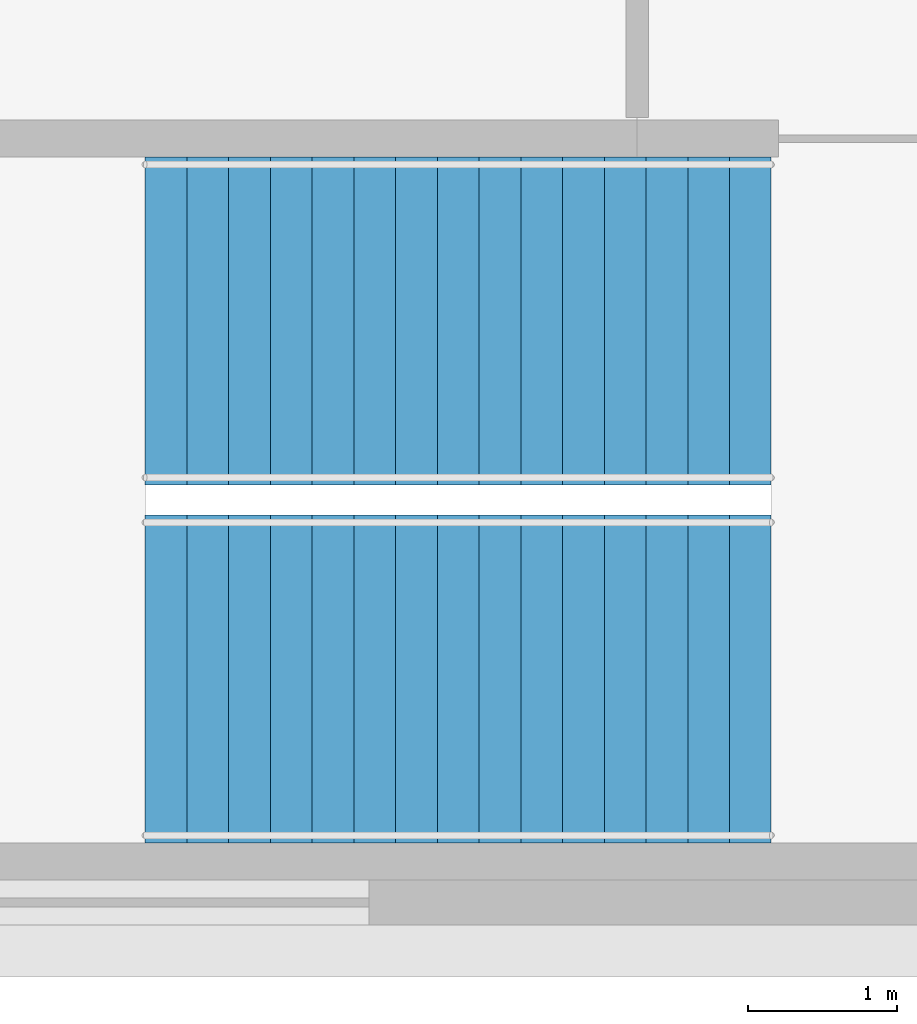
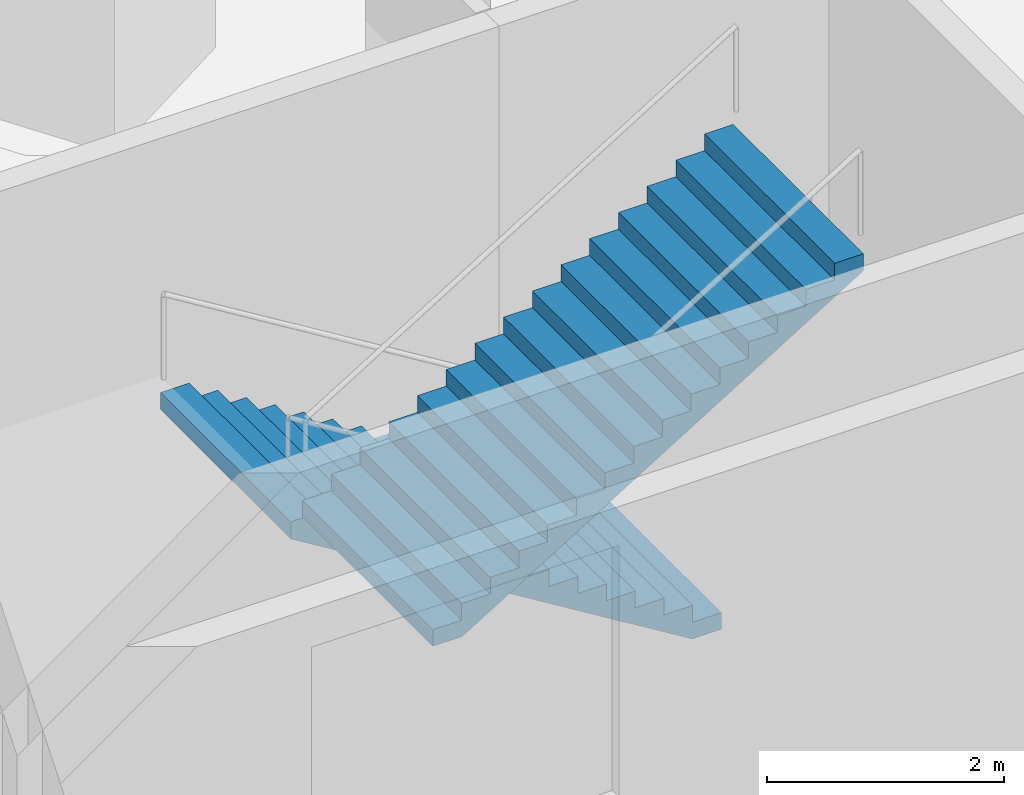
# One storey, part 11 of 16: 2 stair flights, 1 element without a shape of its own.
"""IFC4 building model written with IfcOpenShell, lengths in metres."""

from ifc_helpers import new_model, si_unit, direction, frame, origin, place, context, subcontext, project, spatial, triangles, source, transform, mapped, material, type_object, element, aggregate, save


model = new_model("IFC4")

# Units and contexts
model_context = context("Model", 3, precision=1e-05, world=origin(), true_north=direction((0.0, 1.0)))
body_context = subcontext(model_context, "Body", "Model", "MODEL_VIEW")
ifc_project = project(units=[si_unit("LENGTHUNIT", "METRE"), si_unit("AREAUNIT", "SQUARE_METRE"), si_unit("VOLUMEUNIT", "CUBIC_METRE"), si_unit("PLANEANGLEUNIT", "RADIAN"), si_unit("MASSUNIT", "GRAM", prefix="KILO")], contexts=[model_context])

# Site, building, storey
site_placement = place(None, origin())
site = spatial("IfcSite", under=ifc_project, at=site_placement, CompositionType="ELEMENT")
building_placement = place(site_placement, origin())
building = spatial("IfcBuilding", under=site, at=building_placement, Name="Vanh Sen Convention Tower", CompositionType="ELEMENT")
storey_placement = place(building_placement, frame((0.0, 0.0, 7.5)))
storey = spatial("IfcBuildingStorey", under=building, at=storey_placement, Name="L01", CompositionType="ELEMENT", Elevation=7.5)

# Stair, stair flights
ifc_material = material(Name="Concrete C40/50", Category="concrete")
stair_type = type_object("IfcStairType", Name="Podium exit stair 2200", PredefinedType="HALF_TURN_STAIR", material=ifc_material)
stair_placement = place(storey_placement, origin())
stair = element("IfcStair", 1, at=stair_placement, inside=storey, type_object=stair_type, Name="Exit stair PS6 L01", PredefinedType="HALF_TURN_STAIR")
stair_flight_type = type_object("IfcStairFlightType", Name="Podium exit stair flight 2200", PredefinedType="STRAIGHT", material=ifc_material)
shared_shape = source(origin(), body_context, "Body", "Tessellation", [
    triangles([(0.28662109375, 1.10009765625, 0.0), (0.0, 1.10009765625, 0.0), (0.0, 1.10009765625, 0.171875), (0.280029296875, 1.10009765625, 0.171875), (0.280029296875, 1.10009765625, 0.34375), (0.56005859375, 1.10009765625, 0.34375), (0.56005859375, 1.10009765625, 0.515625), (0.840087890625, 1.10009765625, 0.515625), (0.840087890625, 1.10009765625, 0.6875), (1.1201171875, 1.10009765625, 0.6875), (1.1201171875, 1.10009765625, 0.859375), (1.39990234375, 1.10009765625, 0.859375), (1.39990234375, 1.10009765625, 1.03125), (1.679931640625, 1.10009765625, 1.03125), (1.679931640625, 1.10009765625, 1.203125), (1.9599609375, 1.10009765625, 1.203125), (1.9599609375, 1.10009765625, 1.375), (2.239990234375, 1.10009765625, 1.375), (2.239990234375, 1.10009765625, 1.546875), (2.52001953125, 1.10009765625, 1.546875), (2.52001953125, 1.10009765625, 1.71875), (2.800048828125, 1.10009765625, 1.71875), (2.800048828125, 1.10009765625, 1.890625), (3.080078125, 1.10009765625, 1.890625), (3.080078125, 1.10009765625, 2.0625), (3.360107421875, 1.10009765625, 2.0625), (3.360107421875, 1.10009765625, 2.234375), (3.639892578125, 1.10009765625, 2.234375), (3.639892578125, 1.10009765625, 2.40625), (3.919921875, 1.10009765625, 2.40625), (3.919921875, 1.10009765625, 2.578125), (4.199951171875, 1.10009765625, 2.578125), (4.199951171875, 1.10009765625, 2.40234375), (0.28662109375, -1.10009765625, 0.0), (0.0, -1.10009765625, 0.0), (0.0, -1.10009765625, 0.171875), (0.280029296875, -1.10009765625, 0.171875), (0.280029296875, -1.10009765625, 0.34375), (0.56005859375, -1.10009765625, 0.34375), (0.56005859375, -1.10009765625, 0.515625), (0.840087890625, -1.10009765625, 0.515625), (0.840087890625, -1.10009765625, 0.6875), (1.1201171875, -1.10009765625, 0.6875), (1.1201171875, -1.10009765625, 0.859375), (1.39990234375, -1.10009765625, 0.859375), (1.39990234375, -1.10009765625, 1.03125), (1.679931640625, -1.10009765625, 1.03125), (1.679931640625, -1.10009765625, 1.203125), (1.9599609375, -1.10009765625, 1.203125), (1.9599609375, -1.10009765625, 1.375), (2.239990234375, -1.10009765625, 1.375), (2.239990234375, -1.10009765625, 1.546875), (2.52001953125, -1.10009765625, 1.546875), (2.52001953125, -1.10009765625, 1.71875), (2.800048828125, -1.10009765625, 1.71875), (2.800048828125, -1.10009765625, 1.890625), (3.080078125, -1.10009765625, 1.890625), (3.080078125, -1.10009765625, 2.0625), (3.360107421875, -1.10009765625, 2.0625), (3.360107421875, -1.10009765625, 2.234375), (3.639892578125, -1.10009765625, 2.234375), (3.639892578125, -1.10009765625, 2.40625), (3.919921875, -1.10009765625, 2.40625), (3.919921875, -1.10009765625, 2.578125), (4.199951171875, -1.10009765625, 2.578125), (4.199951171875, -1.10009765625, 2.40234375), (0.0, 0.0439453125, 0.0), (0.0, 0.04296875, 0.0), (0.0, 0.0419921875, 0.0), (0.0, 0.04052734375, 0.0), (0.0, 0.03955078125, 0.0), (0.0, 0.03857421875, 0.0), (0.0, 0.03759765625, 0.0), (0.0, 0.0361328125, 0.0), (0.0, 0.03515625, 0.0), (0.0, 0.0341796875, 0.0), (0.0, 0.033203125, 0.0), (0.0, 0.03173828125, 0.0), (0.0, 0.03076171875, 0.0), (0.0, 0.02978515625, 0.0), (0.0, 0.02880859375, 0.0), (0.0, 0.02734375, 0.0), (0.0, 0.0263671875, 0.0), (0.0, 0.025390625, 0.0), (0.0, 0.0244140625, 0.0), (0.0, 0.02294921875, 0.0), (0.0, 0.02197265625, 0.0), (0.0, 0.02099609375, 0.0), (0.0, 0.02001953125, 0.0), (0.0, 0.0185546875, 0.0), (0.0, 0.017578125, 0.0), (0.0, 0.0166015625, 0.0), (0.0, 0.015625, 0.0), (0.0, 0.01416015625, 0.0), (0.0, 0.01318359375, 0.0), (0.0, 0.01220703125, 0.0), (0.0, 0.01123046875, 0.0), (0.0, 0.009765625, 0.0), (0.0, 0.0087890625, 0.0), (0.0, 0.0078125, 0.0), (0.0, 0.0068359375, 0.0), (0.0, 0.00537109375, 0.0), (0.0, 0.00439453125, 0.0), (0.0, 0.00341796875, 0.0), (0.0, 0.00244140625, 0.0), (0.0, 0.0009765625, 0.0), (0.0, 0.0, 0.0), (0.0, -0.0009765625, 0.0), (0.0, -0.00244140625, 0.0), (0.0, -0.00341796875, 0.0), (0.0, -0.00439453125, 0.0), (0.0, -0.00537109375, 0.0), (0.0, -0.0068359375, 0.0), (0.0, -0.0078125, 0.0), (0.0, -0.0087890625, 0.0), (0.0, -0.009765625, 0.0), (0.0, -0.01123046875, 0.0), (0.0, -0.01220703125, 0.0), (0.0, -0.01318359375, 0.0), (0.0, -0.01416015625, 0.0), (0.0, -0.015625, 0.0), (0.0, -0.0166015625, 0.0), (0.0, -0.017578125, 0.0), (0.0, -0.0185546875, 0.0), (0.0, -0.02001953125, 0.0), (0.0, -0.02099609375, 0.0), (0.0, -0.02197265625, 0.0), (0.0, -0.02294921875, 0.0), (0.0, -0.0244140625, 0.0), (0.0, -0.025390625, 0.0), (0.0, -0.0263671875, 0.0), (0.0, -0.02734375, 0.0), (0.0, -0.02880859375, 0.0), (0.0, -0.02978515625, 0.0), (0.0, -0.03076171875, 0.0), (0.0, -0.03173828125, 0.0), (0.0, -0.033203125, 0.0), (0.0, -0.0341796875, 0.0), (0.0, -0.03515625, 0.0), (0.0, -0.0361328125, 0.0), (0.0, -0.03759765625, 0.0), (0.0, -0.03857421875, 0.0), (0.0, -0.03955078125, 0.0), (0.0, -0.04052734375, 0.0), (0.0, -0.0419921875, 0.0), (0.0, -0.04296875, 0.0), (0.0, -0.0439453125, 0.0), (0.0, 0.0439453125, 0.171875), (0.0, 0.04296875, 0.171875), (0.0, 0.0419921875, 0.171875), (0.0, 0.04052734375, 0.171875), (0.0, 0.03955078125, 0.171875), (0.0, 0.03857421875, 0.171875), (0.0, 0.03759765625, 0.171875), (0.0, 0.0361328125, 0.171875), (0.0, 0.03515625, 0.171875), (0.0, 0.0341796875, 0.171875), (0.0, 0.033203125, 0.171875), (0.0, 0.03173828125, 0.171875), (0.0, 0.03076171875, 0.171875), (0.0, 0.02978515625, 0.171875), (0.0, 0.02880859375, 0.171875), (0.0, 0.02734375, 0.171875), (0.0, 0.0263671875, 0.171875), (0.0, 0.025390625, 0.171875), (0.0, 0.0244140625, 0.171875), (0.0, 0.02294921875, 0.171875), (0.0, 0.02197265625, 0.171875), (0.0, 0.02099609375, 0.171875), (0.0, 0.02001953125, 0.171875), (0.0, 0.0185546875, 0.171875), (0.0, 0.017578125, 0.171875), (0.0, 0.0166015625, 0.171875), (0.0, 0.015625, 0.171875), (0.0, 0.01416015625, 0.171875), (0.0, 0.01318359375, 0.171875), (0.0, 0.01220703125, 0.171875), (0.0, 0.01123046875, 0.171875), (0.0, 0.009765625, 0.171875), (0.0, 0.0087890625, 0.171875), (0.0, 0.0078125, 0.171875), (0.0, 0.0068359375, 0.171875), (0.0, 0.00537109375, 0.171875), (0.0, 0.00439453125, 0.171875), (0.0, 0.00341796875, 0.171875), (0.0, 0.00244140625, 0.171875), (0.0, 0.0009765625, 0.171875), (0.0, 0.0, 0.171875), (0.0, -0.0009765625, 0.171875), (0.0, -0.00244140625, 0.171875), (0.0, -0.00341796875, 0.171875), (0.0, -0.00439453125, 0.171875), (0.0, -0.00537109375, 0.171875), (0.0, -0.0068359375, 0.171875), (0.0, -0.0078125, 0.171875), (0.0, -0.0087890625, 0.171875), (0.0, -0.009765625, 0.171875), (0.0, -0.01123046875, 0.171875), (0.0, -0.01220703125, 0.171875), (0.0, -0.01318359375, 0.171875), (0.0, -0.01416015625, 0.171875), (0.0, -0.015625, 0.171875), (0.0, -0.0166015625, 0.171875), (0.0, -0.017578125, 0.171875), (0.0, -0.0185546875, 0.171875), (0.0, -0.02001953125, 0.171875), (0.0, -0.02099609375, 0.171875), (0.0, -0.02197265625, 0.171875), (0.0, -0.02294921875, 0.171875), (0.0, -0.0244140625, 0.171875), (0.0, -0.025390625, 0.171875), (0.0, -0.0263671875, 0.171875), (0.0, -0.02734375, 0.171875), (0.0, -0.02880859375, 0.171875), (0.0, -0.02978515625, 0.171875), (0.0, -0.03076171875, 0.171875), (0.0, -0.03173828125, 0.171875), (0.0, -0.033203125, 0.171875), (0.0, -0.0341796875, 0.171875), (0.0, -0.03515625, 0.171875), (0.0, -0.0361328125, 0.171875), (0.0, -0.03759765625, 0.171875), (0.0, -0.03857421875, 0.171875), (0.0, -0.03955078125, 0.171875), (0.0, -0.04052734375, 0.171875), (0.0, -0.0419921875, 0.171875), (0.0, -0.04296875, 0.171875), (0.0, -0.0439453125, 0.171875), (0.280029296875, 0.0, 0.171875), (0.280029296875, 0.0, 0.34375), (0.56005859375, 0.0, 0.34375), (0.56005859375, 0.0, 0.515625), (0.840087890625, 0.0, 0.515625), (0.840087890625, 0.0, 0.6875), (1.1201171875, 0.0, 0.6875), (1.1201171875, 0.0, 0.859375), (1.39990234375, 0.0, 0.859375), (1.39990234375, 0.0, 1.03125), (1.679931640625, 0.0, 1.03125), (1.679931640625, 0.0, 1.203125), (1.9599609375, 0.0, 1.203125), (1.9599609375, 0.0, 1.375), (2.239990234375, 0.0, 1.375), (2.239990234375, 0.0, 1.546875), (2.52001953125, 0.0, 1.546875), (2.52001953125, 0.0, 1.71875), (2.800048828125, 0.0, 1.71875), (2.800048828125, 0.0, 1.890625), (3.080078125, 0.0, 1.890625), (3.080078125, 0.0, 2.0625), (3.360107421875, 0.0, 2.0625), (3.360107421875, 0.0, 2.234375), (3.639892578125, 0.0, 2.234375), (3.639892578125, 0.0, 2.40625), (3.919921875, 0.0, 2.40625), (3.919921875, 0.0, 2.578125), (4.199951171875, 0.0439453125, 2.578125), (4.199951171875, 0.04296875, 2.578125), (4.199951171875, 0.0419921875, 2.578125), (4.199951171875, 0.04052734375, 2.578125), (4.199951171875, 0.03955078125, 2.578125), (4.199951171875, 0.03857421875, 2.578125), (4.199951171875, 0.03759765625, 2.578125), (4.199951171875, 0.0361328125, 2.578125), (4.199951171875, 0.03515625, 2.578125), (4.199951171875, 0.0341796875, 2.578125), (4.199951171875, 0.033203125, 2.578125), (4.199951171875, 0.03173828125, 2.578125), (4.199951171875, 0.03076171875, 2.578125), (4.199951171875, 0.02978515625, 2.578125), (4.199951171875, 0.02880859375, 2.578125), (4.199951171875, 0.02734375, 2.578125), (4.199951171875, 0.0263671875, 2.578125), (4.199951171875, 0.025390625, 2.578125), (4.199951171875, 0.0244140625, 2.578125), (4.199951171875, 0.02294921875, 2.578125), (4.199951171875, 0.02197265625, 2.578125), (4.199951171875, 0.02099609375, 2.578125), (4.199951171875, 0.02001953125, 2.578125), (4.199951171875, 0.0185546875, 2.578125), (4.199951171875, 0.017578125, 2.578125), (4.199951171875, 0.0166015625, 2.578125), (4.199951171875, 0.015625, 2.578125), (4.199951171875, 0.01416015625, 2.578125), (4.199951171875, 0.01318359375, 2.578125), (4.199951171875, 0.01220703125, 2.578125), (4.199951171875, 0.01123046875, 2.578125), (4.199951171875, 0.009765625, 2.578125), (4.199951171875, 0.0087890625, 2.578125), (4.199951171875, 0.0078125, 2.578125), (4.199951171875, 0.0068359375, 2.578125), (4.199951171875, 0.00537109375, 2.578125), (4.199951171875, 0.00439453125, 2.578125), (4.199951171875, 0.00341796875, 2.578125), (4.199951171875, 0.00244140625, 2.578125), (4.199951171875, 0.0009765625, 2.578125), (4.199951171875, 0.0, 2.578125), (4.199951171875, -0.0009765625, 2.578125), (4.199951171875, -0.00244140625, 2.578125), (4.199951171875, -0.00341796875, 2.578125), (4.199951171875, -0.00439453125, 2.578125), (4.199951171875, -0.00537109375, 2.578125), (4.199951171875, -0.0068359375, 2.578125), (4.199951171875, -0.0078125, 2.578125), (4.199951171875, -0.0087890625, 2.578125), (4.199951171875, -0.009765625, 2.578125), (4.199951171875, -0.01123046875, 2.578125), (4.199951171875, -0.01220703125, 2.578125), (4.199951171875, -0.01318359375, 2.578125), (4.199951171875, -0.01416015625, 2.578125), (4.199951171875, -0.015625, 2.578125), (4.199951171875, -0.0166015625, 2.578125), (4.199951171875, -0.017578125, 2.578125), (4.199951171875, -0.0185546875, 2.578125), (4.199951171875, -0.02001953125, 2.578125), (4.199951171875, -0.02099609375, 2.578125), (4.199951171875, -0.02197265625, 2.578125), (4.199951171875, -0.02294921875, 2.578125), (4.199951171875, -0.0244140625, 2.578125), (4.199951171875, -0.025390625, 2.578125), (4.199951171875, -0.0263671875, 2.578125), (4.199951171875, -0.02734375, 2.578125), (4.199951171875, -0.02880859375, 2.578125), (4.199951171875, -0.02978515625, 2.578125), (4.199951171875, -0.03076171875, 2.578125), (4.199951171875, -0.03173828125, 2.578125), (4.199951171875, -0.033203125, 2.578125), (4.199951171875, -0.0341796875, 2.578125), (4.199951171875, -0.03515625, 2.578125), (4.199951171875, -0.0361328125, 2.578125), (4.199951171875, -0.03759765625, 2.578125), (4.199951171875, -0.03857421875, 2.578125), (4.199951171875, -0.03955078125, 2.578125), (4.199951171875, -0.04052734375, 2.578125), (4.199951171875, -0.0419921875, 2.578125), (4.199951171875, -0.04296875, 2.578125), (4.199951171875, -0.0439453125, 2.578125), (4.199951171875, 0.0439453125, 2.40234375), (4.199951171875, 0.04296875, 2.40234375), (4.199951171875, 0.0419921875, 2.40234375), (4.199951171875, 0.04052734375, 2.40234375), (4.199951171875, 0.03955078125, 2.40234375), (4.199951171875, 0.03857421875, 2.40234375), (4.199951171875, 0.03759765625, 2.40234375), (4.199951171875, 0.0361328125, 2.40234375), (4.199951171875, 0.03515625, 2.40234375), (4.199951171875, 0.0341796875, 2.40234375), (4.199951171875, 0.033203125, 2.40234375), (4.199951171875, 0.03173828125, 2.40234375), (4.199951171875, 0.03076171875, 2.40234375), (4.199951171875, 0.02978515625, 2.40234375), (4.199951171875, 0.02880859375, 2.40234375), (4.199951171875, 0.02734375, 2.40234375), (4.199951171875, 0.0263671875, 2.40234375), (4.199951171875, 0.025390625, 2.40234375), (4.199951171875, 0.0244140625, 2.40234375), (4.199951171875, 0.02294921875, 2.40234375), (4.199951171875, 0.02197265625, 2.40234375), (4.199951171875, 0.02099609375, 2.40234375), (4.199951171875, 0.02001953125, 2.40234375), (4.199951171875, 0.0185546875, 2.40234375), (4.199951171875, 0.017578125, 2.40234375), (4.199951171875, 0.0166015625, 2.40234375), (4.199951171875, 0.015625, 2.40234375), (4.199951171875, 0.01416015625, 2.40234375), (4.199951171875, 0.01318359375, 2.40234375), (4.199951171875, 0.01220703125, 2.40234375), (4.199951171875, 0.01123046875, 2.40234375), (4.199951171875, 0.009765625, 2.40234375), (4.199951171875, 0.0087890625, 2.40234375), (4.199951171875, 0.0078125, 2.40234375), (4.199951171875, 0.0068359375, 2.40234375), (4.199951171875, 0.00537109375, 2.40234375), (4.199951171875, 0.00439453125, 2.40234375), (4.199951171875, 0.00341796875, 2.40234375), (4.199951171875, 0.00244140625, 2.40234375), (4.199951171875, 0.0009765625, 2.40234375), (4.199951171875, 0.0, 2.40234375), (4.199951171875, -0.0009765625, 2.40234375), (4.199951171875, -0.00244140625, 2.40234375), (4.199951171875, -0.00341796875, 2.40234375), (4.199951171875, -0.00439453125, 2.40234375), (4.199951171875, -0.00537109375, 2.40234375), (4.199951171875, -0.0068359375, 2.40234375), (4.199951171875, -0.0078125, 2.40234375), (4.199951171875, -0.0087890625, 2.40234375), (4.199951171875, -0.009765625, 2.40234375), (4.199951171875, -0.01123046875, 2.40234375), (4.199951171875, -0.01220703125, 2.40234375), (4.199951171875, -0.01318359375, 2.40234375), (4.199951171875, -0.01416015625, 2.40234375), (4.199951171875, -0.015625, 2.40234375), (4.199951171875, -0.0166015625, 2.40234375), (4.199951171875, -0.017578125, 2.40234375), (4.199951171875, -0.0185546875, 2.40234375), (4.199951171875, -0.02001953125, 2.40234375), (4.199951171875, -0.02099609375, 2.40234375), (4.199951171875, -0.02197265625, 2.40234375), (4.199951171875, -0.02294921875, 2.40234375), (4.199951171875, -0.0244140625, 2.40234375), (4.199951171875, -0.025390625, 2.40234375), (4.199951171875, -0.0263671875, 2.40234375), (4.199951171875, -0.02734375, 2.40234375), (4.199951171875, -0.02880859375, 2.40234375), (4.199951171875, -0.02978515625, 2.40234375), (4.199951171875, -0.03076171875, 2.40234375), (4.199951171875, -0.03173828125, 2.40234375), (4.199951171875, -0.033203125, 2.40234375), (4.199951171875, -0.0341796875, 2.40234375), (4.199951171875, -0.03515625, 2.40234375), (4.199951171875, -0.0361328125, 2.40234375), (4.199951171875, -0.03759765625, 2.40234375), (4.199951171875, -0.03857421875, 2.40234375), (4.199951171875, -0.03955078125, 2.40234375), (4.199951171875, -0.04052734375, 2.40234375), (4.199951171875, -0.0419921875, 2.40234375), (4.199951171875, -0.04296875, 2.40234375), (4.199951171875, -0.0439453125, 2.40234375), (0.28662109375, 0.0, 0.0)], [[1, 2, 3], [1, 3, 4], [1, 4, 5], [1, 5, 6], [6, 7, 8], [1, 6, 8], [8, 9, 10], [1, 8, 10], [10, 11, 12], [1, 10, 12], [12, 13, 14], [1, 12, 14], [14, 15, 16], [1, 14, 16], [16, 17, 18], [1, 16, 18], [18, 19, 20], [1, 18, 20], [20, 21, 22], [1, 20, 22], [22, 23, 24], [1, 22, 24], [24, 25, 26], [1, 24, 26], [26, 27, 28], [1, 26, 28], [28, 29, 30], [1, 28, 30], [30, 31, 32], [1, 30, 32], [32, 33, 1], [34, 36, 35], [34, 37, 36], [34, 38, 37], [34, 39, 38], [39, 41, 40], [34, 41, 39], [41, 43, 42], [34, 43, 41], [43, 45, 44], [34, 45, 43], [45, 47, 46], [34, 47, 45], [47, 49, 48], [34, 49, 47], [49, 51, 50], [34, 51, 49], [51, 53, 52], [34, 53, 51], [53, 55, 54], [34, 55, 53], [55, 57, 56], [34, 57, 55], [57, 59, 58], [34, 59, 57], [59, 61, 60], [34, 61, 59], [61, 63, 62], [34, 63, 61], [63, 65, 64], [34, 65, 63], [65, 34, 66], [2, 148, 3], [2, 67, 148], [67, 149, 148], [67, 68, 149], [68, 150, 149], [68, 69, 150], [69, 151, 150], [69, 70, 151], [70, 152, 151], [70, 71, 152], [71, 153, 152], [71, 72, 153], [72, 154, 153], [72, 73, 154], [73, 155, 154], [73, 74, 155], [74, 156, 155], [74, 75, 156], [75, 157, 156], [75, 76, 157], [76, 158, 157], [76, 77, 158], [77, 159, 158], [77, 78, 159], [78, 160, 159], [78, 79, 160], [79, 161, 160], [79, 80, 161], [80, 162, 161], [80, 81, 162], [81, 163, 162], [81, 82, 163], [82, 164, 163], [82, 83, 164], [83, 165, 164], [83, 84, 165], [84, 166, 165], [84, 85, 166], [85, 167, 166], [85, 86, 167], [86, 168, 167], [86, 87, 168], [87, 169, 168], [87, 88, 169], [88, 170, 169], [88, 89, 170], [89, 171, 170], [89, 90, 171], [90, 172, 171], [90, 91, 172], [91, 173, 172], [91, 92, 173], [92, 174, 173], [92, 93, 174], [93, 175, 174], [93, 94, 175], [94, 176, 175], [94, 95, 176], [95, 177, 176], [95, 96, 177], [96, 178, 177], [96, 97, 178], [97, 179, 178], [97, 98, 179], [98, 180, 179], [98, 99, 180], [99, 181, 180], [99, 100, 181], [100, 182, 181], [100, 101, 182], [101, 183, 182], [101, 102, 183], [102, 184, 183], [102, 103, 184], [103, 185, 184], [103, 104, 185], [104, 186, 185], [104, 105, 186], [105, 187, 186], [105, 106, 187], [106, 188, 187], [106, 107, 188], [107, 108, 188], [188, 108, 189], [108, 109, 189], [189, 109, 190], [109, 110, 190], [190, 110, 191], [110, 111, 191], [191, 111, 192], [111, 112, 192], [192, 112, 193], [112, 113, 193], [193, 113, 194], [113, 114, 194], [194, 114, 195], [114, 115, 195], [195, 115, 196], [115, 116, 196], [196, 116, 197], [116, 117, 197], [197, 117, 198], [117, 118, 198], [198, 118, 199], [118, 119, 199], [199, 119, 200], [119, 120, 200], [200, 120, 201], [120, 121, 201], [201, 121, 202], [121, 122, 202], [202, 122, 203], [122, 123, 203], [203, 123, 204], [123, 124, 204], [204, 124, 205], [124, 125, 205], [205, 125, 206], [125, 126, 206], [206, 126, 207], [126, 127, 207], [207, 127, 208], [127, 128, 208], [208, 128, 209], [128, 129, 209], [209, 129, 210], [129, 130, 210], [210, 130, 211], [130, 131, 211], [211, 131, 212], [131, 132, 212], [212, 132, 213], [132, 133, 213], [213, 133, 214], [133, 134, 214], [214, 134, 215], [134, 135, 215], [215, 135, 216], [135, 136, 216], [216, 136, 217], [136, 137, 217], [217, 137, 218], [137, 138, 218], [218, 138, 219], [138, 139, 219], [219, 139, 220], [139, 140, 220], [220, 140, 221], [140, 141, 221], [221, 141, 222], [141, 142, 222], [222, 142, 223], [142, 143, 223], [223, 143, 224], [143, 144, 224], [224, 144, 225], [144, 145, 225], [225, 145, 226], [145, 146, 226], [226, 146, 227], [146, 147, 227], [227, 147, 228], [147, 35, 228], [228, 35, 36], [4, 3, 148], [4, 148, 149], [4, 149, 150], [4, 150, 151], [4, 151, 152], [4, 152, 153], [4, 153, 154], [4, 154, 155], [4, 155, 156], [4, 156, 157], [4, 157, 158], [4, 158, 159], [4, 159, 160], [4, 160, 161], [4, 161, 162], [4, 162, 163], [4, 163, 164], [4, 164, 165], [4, 165, 166], [4, 166, 167], [4, 167, 168], [4, 168, 169], [4, 169, 170], [4, 170, 171], [4, 171, 172], [4, 172, 173], [4, 173, 174], [4, 174, 175], [4, 175, 176], [4, 176, 177], [4, 177, 178], [4, 178, 179], [4, 179, 180], [4, 180, 181], [4, 181, 182], [4, 182, 183], [4, 183, 184], [4, 184, 185], [4, 185, 186], [4, 186, 187], [4, 187, 188], [37, 188, 189], [37, 189, 190], [37, 190, 191], [37, 191, 192], [37, 192, 193], [37, 193, 194], [37, 194, 195], [37, 195, 196], [37, 196, 197], [37, 197, 198], [37, 198, 199], [37, 199, 200], [37, 200, 201], [37, 201, 202], [37, 202, 203], [37, 203, 204], [37, 204, 205], [37, 205, 206], [37, 206, 207], [37, 207, 208], [37, 208, 209], [37, 209, 210], [37, 210, 211], [37, 211, 212], [37, 212, 213], [37, 213, 214], [37, 214, 215], [37, 215, 216], [37, 216, 217], [37, 217, 218], [37, 218, 219], [37, 219, 220], [37, 220, 221], [37, 221, 222], [37, 222, 223], [37, 223, 224], [37, 224, 225], [37, 225, 226], [37, 226, 227], [37, 227, 228], [37, 228, 36], [4, 188, 229], [37, 229, 188], [4, 230, 5], [4, 229, 230], [229, 37, 230], [230, 37, 38], [5, 231, 6], [5, 230, 231], [230, 38, 231], [231, 38, 39], [6, 232, 7], [6, 231, 232], [231, 39, 232], [232, 39, 40], [7, 233, 8], [7, 232, 233], [232, 40, 233], [233, 40, 41], [8, 234, 9], [8, 233, 234], [233, 41, 234], [234, 41, 42], [9, 235, 10], [9, 234, 235], [234, 42, 235], [235, 42, 43], [10, 236, 11], [10, 235, 236], [235, 43, 236], [236, 43, 44], [11, 237, 12], [11, 236, 237], [236, 44, 237], [237, 44, 45], [12, 238, 13], [12, 237, 238], [237, 45, 238], [238, 45, 46], [13, 239, 14], [13, 238, 239], [238, 46, 239], [239, 46, 47], [14, 240, 15], [14, 239, 240], [239, 47, 240], [240, 47, 48], [15, 241, 16], [15, 240, 241], [240, 48, 241], [241, 48, 49], [16, 242, 17], [16, 241, 242], [241, 49, 242], [242, 49, 50], [17, 243, 18], [17, 242, 243], [242, 50, 243], [243, 50, 51], [18, 244, 19], [18, 243, 244], [243, 51, 244], [244, 51, 52], [19, 245, 20], [19, 244, 245], [244, 52, 245], [245, 52, 53], [20, 246, 21], [20, 245, 246], [245, 53, 246], [246, 53, 54], [21, 247, 22], [21, 246, 247], [246, 54, 247], [247, 54, 55], [22, 248, 23], [22, 247, 248], [247, 55, 248], [248, 55, 56], [23, 249, 24], [23, 248, 249], [248, 56, 249], [249, 56, 57], [24, 250, 25], [24, 249, 250], [249, 57, 250], [250, 57, 58], [25, 251, 26], [25, 250, 251], [250, 58, 251], [251, 58, 59], [26, 252, 27], [26, 251, 252], [251, 59, 252], [252, 59, 60], [27, 253, 28], [27, 252, 253], [252, 60, 253], [253, 60, 61], [28, 254, 29], [28, 253, 254], [253, 61, 254], [254, 61, 62], [29, 255, 30], [29, 254, 255], [254, 62, 255], [255, 62, 63], [30, 256, 31], [30, 255, 256], [255, 63, 256], [256, 63, 64], [31, 257, 32], [31, 258, 257], [31, 259, 258], [31, 260, 259], [31, 261, 260], [31, 262, 261], [31, 263, 262], [31, 264, 263], [31, 265, 264], [31, 266, 265], [31, 267, 266], [31, 268, 267], [31, 269, 268], [31, 270, 269], [31, 271, 270], [31, 272, 271], [31, 273, 272], [31, 274, 273], [31, 275, 274], [31, 276, 275], [31, 277, 276], [31, 278, 277], [31, 279, 278], [31, 280, 279], [31, 281, 280], [31, 282, 281], [31, 283, 282], [31, 284, 283], [31, 285, 284], [31, 286, 285], [31, 287, 286], [31, 288, 287], [31, 289, 288], [31, 290, 289], [31, 291, 290], [31, 292, 291], [31, 293, 292], [31, 294, 293], [31, 295, 294], [31, 296, 295], [31, 297, 296], [64, 298, 297], [64, 299, 298], [64, 300, 299], [64, 301, 300], [64, 302, 301], [64, 303, 302], [64, 304, 303], [64, 305, 304], [64, 306, 305], [64, 307, 306], [64, 308, 307], [64, 309, 308], [64, 310, 309], [64, 311, 310], [64, 312, 311], [64, 313, 312], [64, 314, 313], [64, 315, 314], [64, 316, 315], [64, 317, 316], [64, 318, 317], [64, 319, 318], [64, 320, 319], [64, 321, 320], [64, 322, 321], [64, 323, 322], [64, 324, 323], [64, 325, 324], [64, 326, 325], [64, 327, 326], [64, 328, 327], [64, 329, 328], [64, 330, 329], [64, 331, 330], [64, 332, 331], [64, 333, 332], [64, 334, 333], [64, 335, 334], [64, 336, 335], [64, 337, 336], [64, 65, 337], [31, 256, 297], [64, 297, 256], [32, 338, 33], [32, 257, 338], [257, 339, 338], [257, 258, 339], [258, 340, 339], [258, 259, 340], [259, 341, 340], [259, 260, 341], [260, 342, 341], [260, 261, 342], [261, 343, 342], [261, 262, 343], [262, 344, 343], [262, 263, 344], [263, 345, 344], [263, 264, 345], [264, 346, 345], [264, 265, 346], [265, 347, 346], [265, 266, 347], [266, 348, 347], [266, 267, 348], [267, 349, 348], [267, 268, 349], [268, 350, 349], [268, 269, 350], [269, 351, 350], [269, 270, 351], [270, 352, 351], [270, 271, 352], [271, 353, 352], [271, 272, 353], [272, 354, 353], [272, 273, 354], [273, 355, 354], [273, 274, 355], [274, 356, 355], [274, 275, 356], [275, 357, 356], [275, 276, 357], [276, 358, 357], [276, 277, 358], [277, 359, 358], [277, 278, 359], [278, 360, 359], [278, 279, 360], [279, 361, 360], [279, 280, 361], [280, 362, 361], [280, 281, 362], [281, 363, 362], [281, 282, 363], [282, 364, 363], [282, 283, 364], [283, 365, 364], [283, 284, 365], [284, 366, 365], [284, 285, 366], [285, 367, 366], [285, 286, 367], [286, 368, 367], [286, 287, 368], [287, 369, 368], [287, 288, 369], [288, 370, 369], [288, 289, 370], [289, 371, 370], [289, 290, 371], [290, 372, 371], [290, 291, 372], [291, 373, 372], [291, 292, 373], [292, 374, 373], [292, 293, 374], [293, 375, 374], [293, 294, 375], [294, 376, 375], [294, 295, 376], [295, 377, 376], [295, 296, 377], [296, 378, 377], [296, 297, 378], [297, 298, 378], [378, 298, 379], [298, 299, 379], [379, 299, 380], [299, 300, 380], [380, 300, 381], [300, 301, 381], [381, 301, 382], [301, 302, 382], [382, 302, 383], [302, 303, 383], [383, 303, 384], [303, 304, 384], [384, 304, 385], [304, 305, 385], [385, 305, 386], [305, 306, 386], [386, 306, 387], [306, 307, 387], [387, 307, 388], [307, 308, 388], [388, 308, 389], [308, 309, 389], [389, 309, 390], [309, 310, 390], [390, 310, 391], [310, 311, 391], [391, 311, 392], [311, 312, 392], [392, 312, 393], [312, 313, 393], [393, 313, 394], [313, 314, 394], [394, 314, 395], [314, 315, 395], [395, 315, 396], [315, 316, 396], [396, 316, 397], [316, 317, 397], [397, 317, 398], [317, 318, 398], [398, 318, 399], [318, 319, 399], [399, 319, 400], [319, 320, 400], [400, 320, 401], [320, 321, 401], [401, 321, 402], [321, 322, 402], [402, 322, 403], [322, 323, 403], [403, 323, 404], [323, 324, 404], [404, 324, 405], [324, 325, 405], [405, 325, 406], [325, 326, 406], [406, 326, 407], [326, 327, 407], [407, 327, 408], [327, 328, 408], [408, 328, 409], [328, 329, 409], [409, 329, 410], [329, 330, 410], [410, 330, 411], [330, 331, 411], [411, 331, 412], [331, 332, 412], [412, 332, 413], [332, 333, 413], [413, 333, 414], [333, 334, 414], [414, 334, 415], [334, 335, 415], [415, 335, 416], [335, 336, 416], [416, 336, 417], [336, 337, 417], [417, 337, 418], [337, 65, 418], [418, 65, 66], [1, 33, 338], [1, 338, 339], [1, 339, 340], [1, 340, 341], [1, 341, 342], [1, 342, 343], [1, 343, 344], [1, 344, 345], [1, 345, 346], [1, 346, 347], [1, 347, 348], [1, 348, 349], [1, 349, 350], [1, 350, 351], [1, 351, 352], [1, 352, 353], [1, 353, 354], [1, 354, 355], [1, 355, 356], [1, 356, 357], [1, 357, 358], [1, 358, 359], [1, 359, 360], [1, 360, 361], [1, 361, 362], [1, 362, 363], [1, 363, 364], [1, 364, 365], [1, 365, 366], [1, 366, 367], [1, 367, 368], [1, 368, 369], [1, 369, 370], [1, 370, 371], [1, 371, 372], [1, 372, 373], [1, 373, 374], [1, 374, 375], [1, 375, 376], [1, 376, 377], [1, 377, 378], [34, 378, 379], [34, 379, 380], [34, 380, 381], [34, 381, 382], [34, 382, 383], [34, 383, 384], [34, 384, 385], [34, 385, 386], [34, 386, 387], [34, 387, 388], [34, 388, 389], [34, 389, 390], [34, 390, 391], [34, 391, 392], [34, 392, 393], [34, 393, 394], [34, 394, 395], [34, 395, 396], [34, 396, 397], [34, 397, 398], [34, 398, 399], [34, 399, 400], [34, 400, 401], [34, 401, 402], [34, 402, 403], [34, 403, 404], [34, 404, 405], [34, 405, 406], [34, 406, 407], [34, 407, 408], [34, 408, 409], [34, 409, 410], [34, 410, 411], [34, 411, 412], [34, 412, 413], [34, 413, 414], [34, 414, 415], [34, 415, 416], [34, 416, 417], [34, 417, 418], [34, 418, 66], [1, 378, 419], [34, 419, 378], [1, 67, 2], [1, 68, 67], [1, 69, 68], [1, 70, 69], [1, 71, 70], [1, 72, 71], [1, 73, 72], [1, 74, 73], [1, 75, 74], [1, 76, 75], [1, 77, 76], [1, 78, 77], [1, 79, 78], [1, 80, 79], [1, 81, 80], [1, 82, 81], [1, 83, 82], [1, 84, 83], [1, 85, 84], [1, 86, 85], [1, 87, 86], [1, 88, 87], [1, 89, 88], [1, 90, 89], [1, 91, 90], [1, 92, 91], [1, 93, 92], [1, 94, 93], [1, 95, 94], [1, 96, 95], [1, 97, 96], [1, 98, 97], [1, 99, 98], [1, 100, 99], [1, 101, 100], [1, 102, 101], [1, 103, 102], [1, 104, 103], [1, 105, 104], [1, 106, 105], [1, 107, 106], [34, 108, 107], [34, 109, 108], [34, 110, 109], [34, 111, 110], [34, 112, 111], [34, 113, 112], [34, 114, 113], [34, 115, 114], [34, 116, 115], [34, 117, 116], [34, 118, 117], [34, 119, 118], [34, 120, 119], [34, 121, 120], [34, 122, 121], [34, 123, 122], [34, 124, 123], [34, 125, 124], [34, 126, 125], [34, 127, 126], [34, 128, 127], [34, 129, 128], [34, 130, 129], [34, 131, 130], [34, 132, 131], [34, 133, 132], [34, 134, 133], [34, 135, 134], [34, 136, 135], [34, 137, 136], [34, 138, 137], [34, 139, 138], [34, 140, 139], [34, 141, 140], [34, 142, 141], [34, 143, 142], [34, 144, 143], [34, 145, 144], [34, 146, 145], [34, 147, 146], [34, 35, 147], [1, 419, 107], [34, 107, 419]], closed=True),
])
stair_flight_1_placement = place(storey_placement, frame((-18.300048828125, -22.949951171875, 0.0), z_axis=(0.0, 0.0, 1.0), x_axis=(-1.0, 0.0, 0.0)))
stair_flight_1 = element("IfcStairFlight", 2, at=stair_flight_1_placement, type_object=stair_flight_type, Name="PS6 flight 1", NumberOfRisers=16, NumberOfTreads=15, PredefinedType="STRAIGHT", RiserHeight=0.171875, TreadLength=0.28, context=body_context, shape_type="MappedRepresentation", body=[
    mapped(shared_shape, transform((0.0, 0.0, 0.0))),
])
stair_flight_2_placement = place(storey_placement, frame((-22.5, -25.35009765625, 2.75), z_axis=(0.0, 0.0, 1.0), x_axis=(1.0, 0.0, 0.0)))
stair_flight_2 = element("IfcStairFlight", 3, at=stair_flight_2_placement, type_object=stair_flight_type, Name="PS6 flight 2", NumberOfRisers=16, NumberOfTreads=15, PredefinedType="STRAIGHT", RiserHeight=0.171875, TreadLength=0.28, context=body_context, shape_type="MappedRepresentation", body=[
    mapped(shared_shape, transform((0.0, 0.0, 0.0))),
])
aggregate(stair, [stair_flight_1, stair_flight_2])

save(model, "model.ifc")
